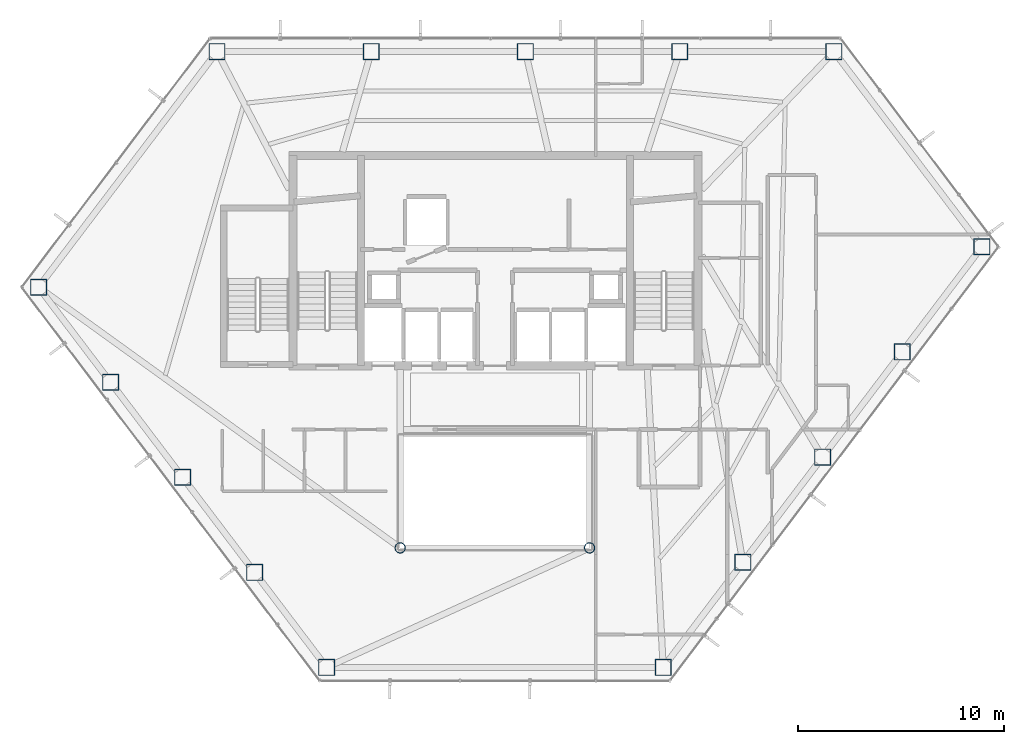
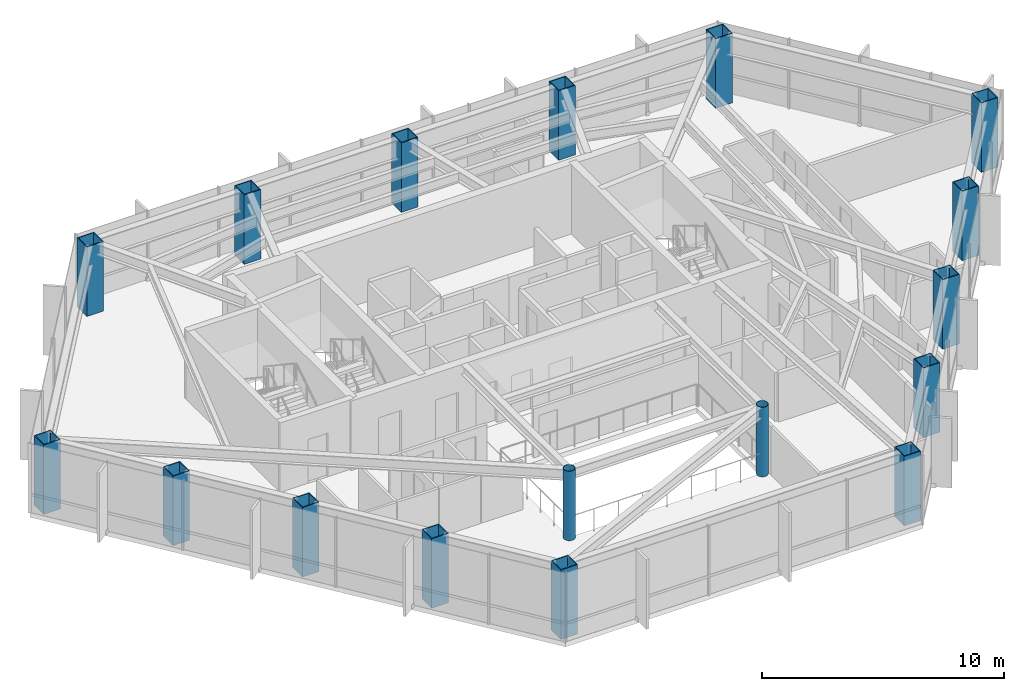
# One storey, part 1 of 29: 17 columns.
"""IFC4 building model written with IfcOpenShell, lengths in metres."""

from ifc_helpers import new_model, si_unit, direction, frame, origin, origin_2d, place, context, subcontext, project, spatial, hollow_rectangle, hollow_circle, extrude, material, material_profile, profile_set, type_object, element, save


model = new_model("IFC4")

# Units and contexts
model_context = context("Model", 3, precision=1e-05, world=origin(), true_north=direction((0.0, 1.0)))
body_context = subcontext(model_context, "Body", "Model", "MODEL_VIEW")
ifc_project = project(units=[si_unit("LENGTHUNIT", "METRE"), si_unit("AREAUNIT", "SQUARE_METRE"), si_unit("VOLUMEUNIT", "CUBIC_METRE"), si_unit("PLANEANGLEUNIT", "RADIAN"), si_unit("MASSUNIT", "GRAM", prefix="KILO")], contexts=[model_context])

# Site, building, storey
site_placement = place(None, origin())
site = spatial("IfcSite", under=ifc_project, at=site_placement, CompositionType="ELEMENT")
building_placement = place(site_placement, origin())
building = spatial("IfcBuilding", under=site, at=building_placement, Name="Zarrinselat Tower", CompositionType="ELEMENT")
storey_placement = place(building_placement, frame((0.0, 0.0, 134.639892578125)))
storey = spatial("IfcBuildingStorey", under=building, at=storey_placement, Name="L32", CompositionType="ELEMENT", Elevation=134.639892578125)

# Columns
ifc_material_1 = material(Name="Steel S355J2", Category="steel")
ifc_material_profile_1 = material_profile(ifc_material_1, hollow_circle(Radius=0.25390625, WallThickness=0.02001953125, at=origin_2d()), Name="CHS 508x20")
ifc_profile_set_1 = profile_set([ifc_material_profile_1], Name="Steel S355J2")
column_type_1 = type_object("IfcColumnType", Name="COL-CHS508", PredefinedType="COLUMN", material=ifc_profile_set_1)
for number, where, z_axis, x_axis, name in (
    (1, (33.800048828125, 24.39990234375, 0.0), (0.0, 0.0, 1.0), (1.0, 0.0, 0.0), "L32 Atrium Corner Column 1"),
    (2, (43.0, 24.39990234375, 0.0), (0.0, 0.0, 1.0), (1.0, 0.0, 0.0), "L32 Atrium Corner Column 2"),
):
    element("IfcColumn", number, at=place(storey_placement, frame(where, z_axis=z_axis, x_axis=x_axis)), inside=storey, type_object=column_type_1, Name=name, PredefinedType="COLUMN", context=body_context, shape_type="SweptSolid", body=[
        extrude(hollow_circle(Radius=0.25390625, WallThickness=0.02001953125, at=origin_2d()), origin(), (0.0, 0.0, 1.0), 3.5),
    ])
ifc_material_2 = material(Name="Steel S460M", Category="steel")
ifc_material_profile_2 = material_profile(ifc_material_2, hollow_rectangle(XDim=0.800048828125, YDim=0.800048828125, WallThickness=0.0400390625, at=origin_2d()), Name="SHS 800x800x40")
ifc_profile_set_2 = profile_set([ifc_material_profile_2], Name="Steel S460M")
column_type_2 = type_object("IfcColumnType", Name="COL-SHS800", PredefinedType="COLUMN", material=ifc_profile_set_2)
for number, where, z_axis, x_axis, name in (
    (3, (54.864990234375, 48.5, 0.0), (0.0, 0.0, 1.0), (1.0, 0.0, 0.0), "L32 Framed-Tube Column T01"),
    (4, (47.375, 48.5, 0.0), (0.0, 0.0, 1.0), (1.0, 0.0, 0.0), "L32 Framed-Tube Column T02"),
    (5, (39.884765625, 48.5, 0.0), (0.0, 0.0, 1.0), (1.0, 0.0, 0.0), "L32 Framed-Tube Column T03"),
    (6, (32.39453125, 48.5, 0.0), (0.0, 0.0, 1.0), (1.0, 0.0, 0.0), "L32 Framed-Tube Column T04"),
    (7, (24.904296875, 48.5, 0.0), (0.0, 0.0, 1.0), (1.0, 0.0, 0.0), "L32 Framed-Tube Column T05"),
    (8, (16.238037109375, 37.060302734375, 0.0), (0.0, 0.0, 1.0), (1.0, 0.0, 0.0), "L32 Framed-Tube Column T06"),
    (9, (19.735107421875, 32.444091796875, 0.0), (0.0, 0.0, 1.0), (1.0, 0.0, 0.0), "L32 Framed-Tube Column T07"),
    (10, (23.232177734375, 27.827880859375, 0.0), (0.0, 0.0, 1.0), (1.0, 0.0, 0.0), "L32 Framed-Tube Column T08"),
    (11, (26.72900390625, 23.2119140625, 0.0), (0.0, 0.0, 1.0), (1.0, 0.0, 0.0), "L32 Framed-Tube Column T09"),
    (12, (30.22607421875, 18.595703125, 0.0), (0.0, 0.0, 1.0), (1.0, 0.0, 0.0), "L32 Framed-Tube Column T10"),
    (13, (46.573974609375, 18.595703125, 0.0), (0.0, 0.0, 1.0), (1.0, 0.0, 0.0), "L32 Framed-Tube Column T11"),
    (14, (50.442138671875, 23.701904296875, 0.0), (0.0, 0.0, 1.0), (1.0, 0.0, 0.0), "L32 Framed-Tube Column T12"),
    (15, (54.310302734375, 28.807861328125, 0.0), (0.0, 0.0, 1.0), (1.0, 0.0, 0.0), "L32 Framed-Tube Column T13"),
    (16, (58.178466796875, 33.9140625, 0.0), (0.0, 0.0, 1.0), (1.0, 0.0, 0.0), "L32 Framed-Tube Column T14"),
    (17, (62.046630859375, 39.02001953125, 0.0), (0.0, 0.0, 1.0), (1.0, 0.0, 0.0), "L32 Framed-Tube Column T15"),
):
    element("IfcColumn", number, at=place(storey_placement, frame(where, z_axis=z_axis, x_axis=x_axis)), inside=storey, type_object=column_type_2, Name=name, PredefinedType="COLUMN", context=body_context, shape_type="SweptSolid", body=[
        extrude(hollow_rectangle(XDim=0.800048828125, YDim=0.800048828125, WallThickness=0.0400390625, at=origin_2d()), origin(), (0.0, 0.0, 1.0), 3.5),
    ])

save(model, "model.ifc")
